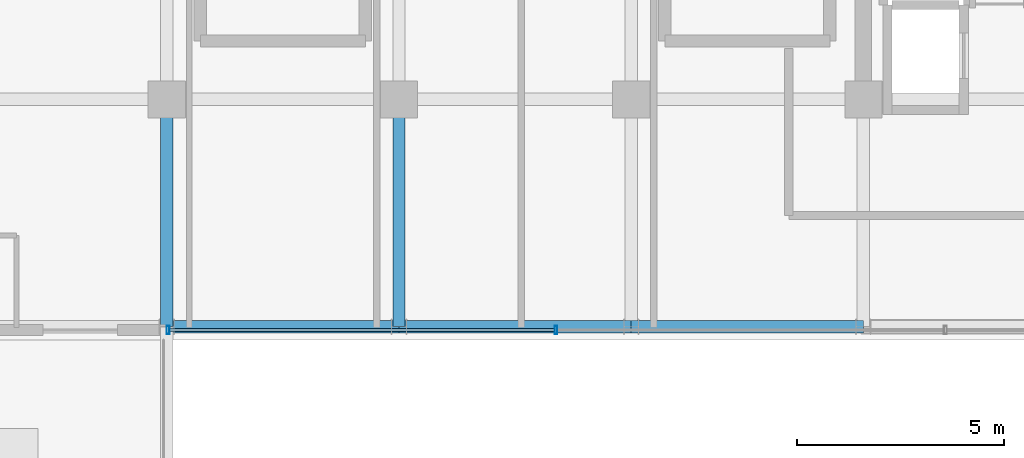
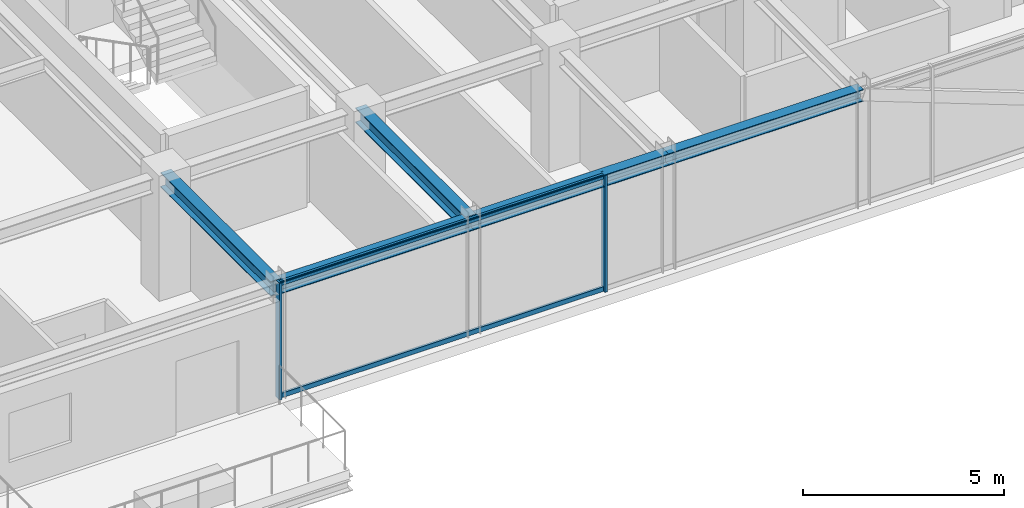
# One storey, part 7 of 37: 5 beams, 4 members, 1 element without a shape of its own.
"""IFC4 building model written with IfcOpenShell, lengths in metres."""

from ifc_helpers import new_model, si_unit, direction, frame, origin, origin_2d, place, context, subcontext, project, spatial, hollow_rectangle, i_section, extrude, source, transform, mapped, material, material_profile, profile_set, type_object, element, aggregate, save


model = new_model("IFC4")

# Units and contexts
model_context = context("Model", 3, precision=1e-05, world=origin(), true_north=direction((0.0, 1.0)))
body_context = subcontext(model_context, "Body", "Model", "MODEL_VIEW")
ifc_project = project(units=[si_unit("LENGTHUNIT", "METRE"), si_unit("AREAUNIT", "SQUARE_METRE"), si_unit("VOLUMEUNIT", "CUBIC_METRE"), si_unit("PLANEANGLEUNIT", "RADIAN"), si_unit("MASSUNIT", "GRAM", prefix="KILO")], contexts=[model_context])

# Site, building, storey
site_placement = place(None, origin())
site = spatial("IfcSite", under=ifc_project, at=site_placement, CompositionType="ELEMENT")
building_placement = place(site_placement, origin())
building = spatial("IfcBuilding", under=site, at=building_placement, Name="Nahalor Promenade Grand Hotel", CompositionType="ELEMENT")
storey_placement = place(building_placement, frame((0.0, 0.0, 308.050048828125)))
storey = spatial("IfcBuildingStorey", under=building, at=storey_placement, Name="L79", CompositionType="ELEMENT", Elevation=308.050048828125)

# Beams
ifc_material_1 = material(Name="Steel S355JR", Category="steel")
ifc_material_profile_1 = material_profile(ifc_material_1, i_section(OverallWidth=0.3, OverallDepth=0.45, WebThickness=0.014, FlangeThickness=0.026, at=origin_2d()), Name="HEB 450")
ifc_profile_set_1 = profile_set([ifc_material_profile_1], Name="Steel S355JR")
beam_type_1 = type_object("IfcBeamType", Name="Beam-Girder-HEB450", PredefinedType="BEAM", material=ifc_profile_set_1)
shared_shape_1 = source(origin(), body_context, "Body", "SweptSolid", [
    extrude(i_section(OverallWidth=0.3, OverallDepth=0.45, WebThickness=0.014, FlangeThickness=0.026, at=origin_2d()), origin(), (0.0, 0.0, 1.0), 5.47998046875),
])
for number, where, z_axis, x_axis, name in (
    (1, (-8.39990234375, -22.47998046875, 3.324951171875), (0.0, 1.0, 0.0), (-1.0, 0.0, 0.0), "BM-L79-GY-1-0"),
    (2, (-2.800048828125, -22.47998046875, 3.324951171875), (0.0, 1.0, 0.0), (-1.0, 0.0, 0.0), "BM-L79-GY-2-0"),
):
    element("IfcBeam", number, at=place(storey_placement, frame(where, z_axis=z_axis, x_axis=x_axis)), inside=storey, type_object=beam_type_1, Name=name, PredefinedType="BEAM", context=body_context, shape_type="MappedRepresentation", body=[
        mapped(shared_shape_1, transform((0.0, 0.0, 0.0), scale=1.0)),
    ])
ifc_material_profile_2 = material_profile(ifc_material_1, i_section(OverallWidth=0.3, OverallDepth=0.36, WebThickness=0.0125, FlangeThickness=0.0225, at=origin_2d()), Name="HEB 360")
ifc_profile_set_2 = profile_set([ifc_material_profile_2], Name="Steel S355JR")
beam_type_2 = type_object("IfcBeamType", Name="Beam-Spandrel-HEB360", PredefinedType="SPANDREL", material=ifc_profile_set_2)
shared_shape_2 = source(origin(), body_context, "Body", "SweptSolid", [
    extrude(i_section(OverallWidth=0.3, OverallDepth=0.36, WebThickness=0.0125, FlangeThickness=0.0225, at=origin_2d()), origin(), (0.0, 0.0, 1.0), 5.599853515625),
])
for number, where, z_axis, x_axis, name in (
    (3, (-8.39990234375, -22.47998046875, 3.369873046875), (1.0, 0.0, 0.0), (0.0, 1.0, 0.0), "BM-L79-SP-S-1"),
    (4, (2.800048828125, -22.47998046875, 3.369873046875), (1.0, 0.0, 0.0), (0.0, 1.0, 0.0), "BM-L79-SP-S-3"),
):
    element("IfcBeam", number, at=place(storey_placement, frame(where, z_axis=z_axis, x_axis=x_axis)), inside=storey, type_object=beam_type_2, Name=name, PredefinedType="SPANDREL", context=body_context, shape_type="MappedRepresentation", body=[
        mapped(shared_shape_2, transform((0.0, 0.0, 0.0), scale=1.0)),
    ])
shared_shape_3 = source(origin(), body_context, "Body", "SweptSolid", [
    extrude(i_section(OverallWidth=0.3, OverallDepth=0.36, WebThickness=0.0125, FlangeThickness=0.0225, at=origin_2d()), origin(), (0.0, 0.0, 1.0), 5.60009765625),
])
beam_placement = place(storey_placement, frame((-2.800048828125, -22.47998046875, 3.369873046875), z_axis=(1.0, 0.0, 0.0), x_axis=(0.0, 1.0, 0.0)))
element("IfcBeam", 5, at=beam_placement, inside=storey, type_object=beam_type_2, Name="BM-L79-SP-S-2", PredefinedType="SPANDREL", context=body_context, shape_type="MappedRepresentation", body=[
    mapped(shared_shape_3, transform((0.0, 0.0, 0.0), scale=1.0)),
])

# Curtain wall, members
ifc_material_2 = material(Name="Anodised Bronze Aluminium EN AW-6063 T6", Category="aluminium")
curtain_wall_type = type_object("IfcCurtainWallType", Name="CW3 Elliptical-Void Collar Unitised Curtain Wall", PredefinedType="USERDEFINED", material=ifc_material_2)
curtain_wall_placement = place(storey_placement, origin())
curtain_wall = element("IfcCurtainWall", 6, at=curtain_wall_placement, inside=storey, type_object=curtain_wall_type, Name="L79 Curtain Wall CW-L79-S-3", ObjectType="UNITISED_CURTAIN_WALL", PredefinedType="USERDEFINED")
ifc_material_profile_3 = material_profile(ifc_material_2, hollow_rectangle(XDim=0.07, YDim=0.14, WallThickness=0.004, at=origin_2d()), Name="CWT 70x140x4")
ifc_profile_set_3 = profile_set([ifc_material_profile_3], Name="Anodised Bronze Aluminium EN AW-6063 T6")
member_type_1 = type_object("IfcMemberType", Name="CWT3 Void Collar Transom 70x140", PredefinedType="USERDEFINED", material=ifc_profile_set_3)
shared_shape_4 = source(origin(), body_context, "Body", "SweptSolid", [
    extrude(hollow_rectangle(XDim=0.07, YDim=0.14, WallThickness=0.004, at=origin_2d()), origin(), (0.0, 0.0, 1.0), 9.28173828125),
])
member_1_placement = place(storey_placement, frame((-8.330078125, -22.56005859375, 0.070068359375), z_axis=(1.0, 0.0, 0.0), x_axis=(0.0, 1.0, 0.0)))
member_1 = element("IfcMember", 7, at=member_1_placement, type_object=member_type_1, Name="CW-L79-S-3 Transom 0-0", ObjectType="TRANSOM", PredefinedType="USERDEFINED", context=body_context, shape_type="MappedRepresentation", body=[
    mapped(shared_shape_4, transform((0.0, 0.0, 0.0), scale=1.0)),
])
member_2_placement = place(storey_placement, frame((-8.330078125, -22.56005859375, 3.47998046875), z_axis=(1.0, 0.0, 0.0), x_axis=(0.0, 1.0, 0.0)))
member_2 = element("IfcMember", 8, at=member_2_placement, type_object=member_type_1, Name="CW-L79-S-3 Transom 0-1", ObjectType="TRANSOM", PredefinedType="USERDEFINED", context=body_context, shape_type="MappedRepresentation", body=[
    mapped(shared_shape_4, transform((0.0, 0.0, 0.0), scale=1.0)),
])
ifc_material_profile_4 = material_profile(ifc_material_2, hollow_rectangle(XDim=0.07, YDim=0.2, WallThickness=0.005, at=origin_2d()), Name="CWM 70x200x5")
ifc_profile_set_4 = profile_set([ifc_material_profile_4], Name="Anodised Bronze Aluminium EN AW-6063 T6")
member_type_2 = type_object("IfcMemberType", Name="CWM3 Void Collar Mullion 70x200", PredefinedType="MULLION", material=ifc_profile_set_4)
shared_shape_5 = source(origin(), body_context, "Body", "SweptSolid", [
    extrude(hollow_rectangle(XDim=0.07, YDim=0.2, WallThickness=0.005, at=origin_2d()), origin(), (0.0, 0.0, 1.0), 3.550048828125),
])
member_3_placement = place(storey_placement, frame((-8.364990234375, -22.56005859375, 0.0), z_axis=(0.0, 0.0, 1.0), x_axis=(1.0, 0.0, 0.0)))
member_3 = element("IfcMember", 9, at=member_3_placement, type_object=member_type_2, Name="CW-L79-S-3 Mullion 0", PredefinedType="MULLION", context=body_context, shape_type="MappedRepresentation", body=[
    mapped(shared_shape_5, transform((0.0, 0.0, 0.0), scale=1.0)),
])
member_4_placement = place(storey_placement, frame((0.986572265625, -22.56005859375, 0.0), z_axis=(0.0, 0.0, 1.0), x_axis=(1.0, 0.0, 0.0)))
member_4 = element("IfcMember", 10, at=member_4_placement, type_object=member_type_2, Name="CW-L79-S-3 Mullion 1", PredefinedType="MULLION", context=body_context, shape_type="MappedRepresentation", body=[
    mapped(shared_shape_5, transform((0.0, 0.0, 0.0), scale=1.0)),
])
aggregate(curtain_wall, [member_3, member_4, member_1, member_2])

save(model, "model.ifc")
